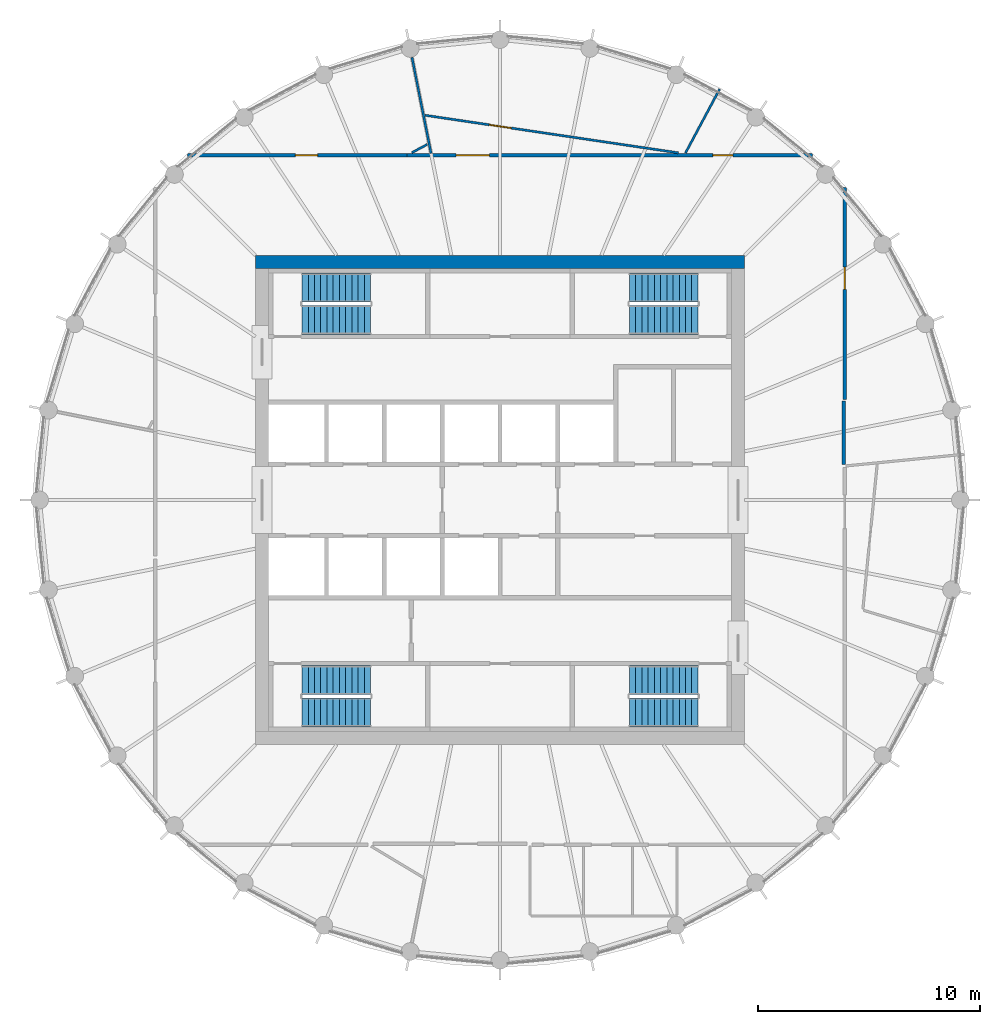
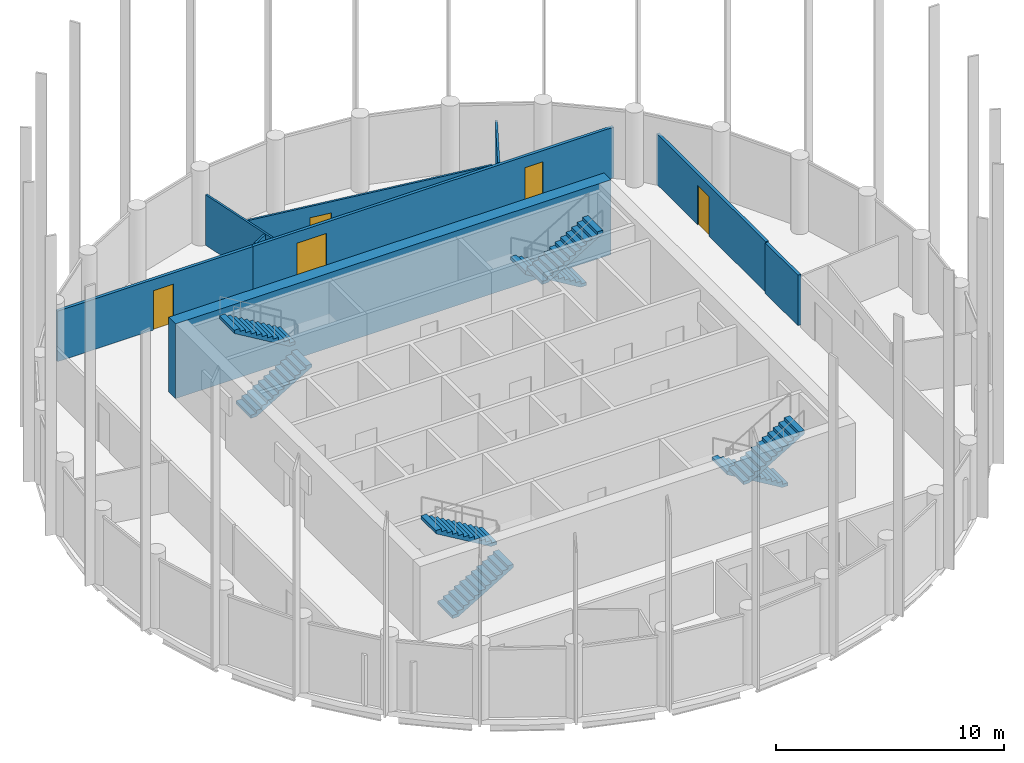
# One storey, part 6 of 7: 9 walls, 8 stair flights, 5 doors, 5 openings, 4 elements without a shape of their own.
"""IFC4 building model written with IfcOpenShell, lengths in metres."""

from ifc_helpers import new_model, si_unit, direction, frame, frame_2d, origin, place, context, subcontext, project, spatial, polyline, rectangle, outline, extrude, material, layer, layer_set, type_object, element, fill, aggregate, save


model = new_model("IFC4")

# Units and contexts
model_context = context("Model", 3, precision=1e-05, world=origin(), true_north=direction((0.0, 1.0)))
body_context = subcontext(model_context, "Body", "Model", "MODEL_VIEW")
ifc_project = project(units=[si_unit("LENGTHUNIT", "METRE"), si_unit("AREAUNIT", "SQUARE_METRE"), si_unit("VOLUMEUNIT", "CUBIC_METRE"), si_unit("PLANEANGLEUNIT", "RADIAN"), si_unit("MASSUNIT", "GRAM", prefix="KILO")], contexts=[model_context])

# Site, building, storey
site_placement = place(None, origin())
site = spatial("IfcSite", under=ifc_project, at=site_placement, CompositionType="ELEMENT")
building_placement = place(site_placement, origin())
building = spatial("IfcBuilding", under=site, at=building_placement, Name="Corvane Civic Tower", CompositionType="ELEMENT")
storey_placement = place(building_placement, frame((0.0, 0.0, 340.5)))
storey = spatial("IfcBuildingStorey", under=building, at=storey_placement, Name="L81", CompositionType="ELEMENT", Elevation=340.5)

# Wall
ifc_material_1 = material(Name="Concrete C40/50", Category="concrete")
ifc_layer_1 = layer(ifc_material_1, 0.60009765625)
ifc_layer_set_1 = layer_set([ifc_layer_1], Name="Concrete C40/50")
wall_type_1 = type_object("IfcWallType", Name="CORE WALL 600 C40/50", PredefinedType="SHEAR", material=ifc_layer_set_1)
wall_1_placement = place(storey_placement, frame((-11.0, 10.699951171875, 0.0), z_axis=(0.0, 0.0, 1.0), x_axis=(1.0, 0.0, 0.0)))
element("IfcWall", 1, at=wall_1_placement, inside=storey, type_object=wall_type_1, Name="W-L81-core-N", PredefinedType="SHEAR", context=body_context, shape_type="SweptSolid", body=[
    extrude(rectangle(XDim=22.0, YDim=0.60009765625, at=frame_2d((11.0, 0.0))), origin(), (0.0, 0.0, 1.0), 4.0),
])

# Wall, opening, door
ifc_material_2 = material(Name="Plasterboard")
ifc_layer_2 = layer(ifc_material_2, 0.10009765625)
ifc_layer_set_2 = layer_set([ifc_layer_2], Name="Plasterboard")
wall_type_2 = type_object("IfcWallType", Name="Partition 100 plasterboard on studs", PredefinedType="PARTITIONING", material=ifc_layer_set_2)
wall_2_placement = place(storey_placement, frame((-3.372314453125, 17.296875, 0.0), z_axis=(0.0, 0.0, 1.0), x_axis=(0.989176121622, -0.146733092425, 0.0)))
wall_2 = element("IfcWall", 2, at=wall_2_placement, inside=storey, type_object=wall_type_2, Name="Partition L81.023", PredefinedType="PARTITIONING", context=body_context, shape_type="SweptSolid", body=[
    extrude(rectangle(XDim=11.513671875, YDim=0.10009765625, at=frame_2d((5.7568359375, 0.0))), origin(), (0.0, 0.0, 1.0), 2.699951171875),
])
opening_1_placement = place(wall_2_placement, frame((2.91748046875, 0.0, 0.0)))
opening_1 = element("IfcOpeningElement", 3, at=opening_1_placement, cuts=wall_2, Name="Opening L81.005", PredefinedType="OPENING", context=body_context, shape_type="SweptSolid", body=[
    extrude(rectangle(XDim=1.0, YDim=2.10009765625, at=frame_2d((0.5, 1.050048828125))), frame((0.0, 0.06005859375, 0.0), z_axis=(0.0, -1.0, 0.0), x_axis=(1.0, 0.0, 0.0)), (0.0, 0.0, 1.0), 0.1201171875),
])
ifc_material_3 = material(Name="Timber", Category="wood")
door_type_1 = type_object("IfcDoorType", Name="Single door 1000", OperationType="NOTDEFINED", PredefinedType="DOOR", material=ifc_material_3)
door_1_placement = place(opening_1_placement, origin())
door_1 = element("IfcDoor", 4, at=door_1_placement, inside=storey, type_object=door_type_1, Name="Door L81.005", OperationType="SINGLE_SWING_LEFT", OverallHeight=2.10009765625, OverallWidth=1.0, PredefinedType="DOOR", context=body_context, shape_type="SweptSolid", body=[
    extrude(rectangle(XDim=1.0, YDim=2.10009765625, at=frame_2d((0.5, 1.050048828125))), frame((0.0, 0.02490234375, 0.0), z_axis=(0.0, -1.0, 0.0), x_axis=(1.0, 0.0, 0.0)), (0.0, 0.0, 1.0), 0.050048828125),
])
fill(opening_1, door_1)

# Walls
wall_3_placement = place(storey_placement, frame((-3.95849609375, 19.900146484375, 0.0), z_axis=(0.0, 0.0, 1.0), x_axis=(0.195091656081, -0.98078501504, 0.0)))
element("IfcWall", 5, at=wall_3_placement, inside=storey, type_object=wall_type_2, Name="Partition L81.024", PredefinedType="PARTITIONING", context=body_context, shape_type="SweptSolid", body=[
    extrude(rectangle(XDim=4.39990234375, YDim=0.10009765625, at=frame_2d((2.199951171875, 0.0))), origin(), (0.0, 0.0, 1.0), 2.699951171875),
])
wall_4_placement = place(storey_placement, frame((8.337646484375, 15.5986328125, 0.0), z_axis=(0.0, 0.0, 1.0), x_axis=(0.471438475103, 0.881898953505, 0.0)))
element("IfcWall", 6, at=wall_4_placement, inside=storey, type_object=wall_type_2, Name="Partition L81.025", PredefinedType="PARTITIONING", context=body_context, shape_type="SweptSolid", body=[
    extrude(rectangle(XDim=3.262939453125, YDim=0.10009765625, at=frame_2d((1.63134765625, 0.0))), origin(), (0.0, 0.0, 1.0), 2.699951171875),
])
wall_5_placement = place(storey_placement, frame((-3.96630859375, 15.614990234375, 0.0), z_axis=(0.0, 0.0, 1.0), x_axis=(0.881949437512, 0.471344024756, 0.0)))
element("IfcWall", 7, at=wall_5_placement, inside=storey, type_object=wall_type_2, Name="Partition L81.026", PredefinedType="PARTITIONING", context=body_context, shape_type="SweptSolid", body=[
    extrude(rectangle(XDim=0.787841796875, YDim=0.10009765625, at=frame_2d((0.39404296875, 0.0))), origin(), (0.0, 0.0, 1.0), 2.699951171875),
])
ifc_material_4 = material(Name="Plasterboard")
ifc_layer_3 = layer(ifc_material_4, 0.14990234375)
ifc_layer_set_3 = layer_set([ifc_layer_3], Name="Plasterboard")
wall_type_3 = type_object("IfcWallType", Name="Tenancy wall 150 EI 60", PredefinedType="PARTITIONING", material=ifc_layer_set_3)
wall_6_placement = place(storey_placement, frame((15.449951171875, 1.6044921875, 0.0), z_axis=(0.0, 0.0, 1.0), x_axis=(0.0, 1.0, 0.0)))
element("IfcWall", 8, at=wall_6_placement, inside=storey, type_object=wall_type_3, Name="Partition L81.017", PredefinedType="PARTITIONING", context=body_context, shape_type="SweptSolid", body=[
    extrude(rectangle(XDim=2.856201171875, YDim=0.14990234375, at=frame_2d((1.42822265625, 0.0))), origin(), (0.0, 0.0, 1.0), 2.699951171875),
])

# Wall, opening, door
wall_7_placement = place(storey_placement, frame((15.5, 4.5107421875, 0.0), z_axis=(0.0, 0.0, 1.0), x_axis=(0.0, 1.0, 0.0)))
wall_7 = element("IfcWall", 9, at=wall_7_placement, inside=storey, type_object=wall_type_3, Name="Partition L81.020", PredefinedType="PARTITIONING", context=body_context, shape_type="SweptSolid", body=[
    extrude(rectangle(XDim=9.54638671875, YDim=0.14990234375, at=frame_2d((4.773193359375, 0.0))), origin(), (0.0, 0.0, 1.0), 2.699951171875),
])
opening_2_placement = place(wall_7_placement, frame((4.9580078125, 0.0, 0.0)))
opening_2 = element("IfcOpeningElement", 10, at=opening_2_placement, cuts=wall_7, Name="Opening L81.007", PredefinedType="OPENING", context=body_context, shape_type="SweptSolid", body=[
    extrude(rectangle(XDim=1.0, YDim=2.10009765625, at=frame_2d((0.5, 1.050048828125))), frame((0.0, 0.0849609375, 0.0), z_axis=(0.0, -1.0, 0.0), x_axis=(1.0, 0.0, 0.0)), (0.0, 0.0, 1.0), 0.169921875),
])
ifc_material_5 = material(Name="Steel and timber", Category="steel")
door_type_2 = type_object("IfcDoorType", Name="Fire door FD30S 1000", OperationType="NOTDEFINED", PredefinedType="DOOR", material=ifc_material_5)
door_2_placement = place(opening_2_placement, frame((1.0, 0.0, 0.0), z_axis=(0.0, 0.0, 1.0), x_axis=(-1.0, 0.0, 0.0)))
door_2 = element("IfcDoor", 11, at=door_2_placement, inside=storey, type_object=door_type_2, Name="Door L81.007", OperationType="SINGLE_SWING_RIGHT", OverallHeight=2.10009765625, OverallWidth=1.0, PredefinedType="DOOR", context=body_context, shape_type="SweptSolid", body=[
    extrude(rectangle(XDim=1.0, YDim=2.10009765625, at=frame_2d((0.5, 1.050048828125))), frame((0.0, 0.02490234375, 0.0), z_axis=(0.0, -1.0, 0.0), x_axis=(1.0, 0.0, 0.0)), (0.0, 0.0, 1.0), 0.050048828125),
])
fill(opening_2, door_2)

wall_8_placement = place(storey_placement, frame((-14.05712890625, 15.5, 0.0), z_axis=(0.0, 0.0, 1.0), x_axis=(1.0, 0.0, 0.0)))
wall_8 = element("IfcWall", 12, at=wall_8_placement, inside=storey, type_object=wall_type_3, Name="Partition L81.021", PredefinedType="PARTITIONING", context=body_context, shape_type="SweptSolid", body=[
    extrude(rectangle(XDim=9.875732421875, YDim=0.14990234375, at=frame_2d((4.93798828125, 0.0))), origin(), (0.0, 0.0, 1.0), 2.699951171875),
])
opening_3_placement = place(wall_8_placement, frame((4.853271484375, 0.0, 0.0)))
opening_3 = element("IfcOpeningElement", 13, at=opening_3_placement, cuts=wall_8, Name="Opening L81.004", PredefinedType="OPENING", context=body_context, shape_type="SweptSolid", body=[
    extrude(rectangle(XDim=1.0, YDim=2.10009765625, at=frame_2d((0.5, 1.050048828125))), frame((0.0, 0.0849609375, 0.0), z_axis=(0.0, -1.0, 0.0), x_axis=(1.0, 0.0, 0.0)), (0.0, 0.0, 1.0), 0.169921875),
])
door_3_placement = place(opening_3_placement, origin())
door_3 = element("IfcDoor", 14, at=door_3_placement, inside=storey, type_object=door_type_2, Name="Door L81.004", OperationType="SINGLE_SWING_RIGHT", OverallHeight=2.10009765625, OverallWidth=1.0, PredefinedType="DOOR", context=body_context, shape_type="SweptSolid", body=[
    extrude(rectangle(XDim=1.0, YDim=2.10009765625, at=frame_2d((0.5, 1.050048828125))), frame((0.0, 0.02490234375, 0.0), z_axis=(0.0, -1.0, 0.0), x_axis=(1.0, 0.0, 0.0)), (0.0, 0.0, 1.0), 0.050048828125),
])
fill(opening_3, door_3)

# Wall, openings, doors
wall_9_placement = place(storey_placement, frame((-4.181396484375, 15.5, 0.0), z_axis=(0.0, 0.0, 1.0), x_axis=(1.0, 0.0, 0.0)))
wall_9 = element("IfcWall", 15, at=wall_9_placement, inside=storey, type_object=wall_type_3, Name="Partition L81.022", PredefinedType="PARTITIONING", context=body_context, shape_type="SweptSolid", body=[
    extrude(rectangle(XDim=18.238525390625, YDim=0.14990234375, at=frame_2d((9.119140625, 0.0))), origin(), (0.0, 0.0, 1.0), 2.699951171875),
])
opening_4_placement = place(wall_9_placement, frame((2.2080078125, 0.0, 0.0)))
opening_4 = element("IfcOpeningElement", 16, at=opening_4_placement, cuts=wall_9, Name="Opening L81.006", PredefinedType="OPENING", context=body_context, shape_type="SweptSolid", body=[
    extrude(rectangle(XDim=1.5, YDim=2.10009765625, at=frame_2d((0.75, 1.050048828125))), frame((0.0, 0.0849609375, 0.0), z_axis=(0.0, -1.0, 0.0), x_axis=(1.0, 0.0, 0.0)), (0.0, 0.0, 1.0), 0.169921875),
])
opening_5_placement = place(wall_9_placement, frame((13.75244140625, 0.0, 0.0)))
opening_5 = element("IfcOpeningElement", 17, at=opening_5_placement, cuts=wall_9, Name="Opening L81.008", PredefinedType="OPENING", context=body_context, shape_type="SweptSolid", body=[
    extrude(rectangle(XDim=0.89990234375, YDim=2.10009765625, at=frame_2d((0.449951171875, 1.050048828125))), frame((0.0, 0.0849609375, 0.0), z_axis=(0.0, -1.0, 0.0), x_axis=(1.0, 0.0, 0.0)), (0.0, 0.0, 1.0), 0.169921875),
])
ifc_material_6 = material(Name="Steel and timber", Category="steel")
door_type_3 = type_object("IfcDoorType", Name="Fire door FD30S 900", OperationType="NOTDEFINED", PredefinedType="DOOR", material=ifc_material_6)
door_4_placement = place(opening_5_placement, origin())
door_4 = element("IfcDoor", 18, at=door_4_placement, inside=storey, type_object=door_type_3, Name="Door L81.008", OperationType="SINGLE_SWING_LEFT", OverallHeight=2.10009765625, OverallWidth=0.89990234375, PredefinedType="DOOR", context=body_context, shape_type="SweptSolid", body=[
    extrude(rectangle(XDim=0.89990234375, YDim=2.10009765625, at=frame_2d((0.449951171875, 1.050048828125))), frame((0.0, 0.02490234375, 0.0), z_axis=(0.0, -1.0, 0.0), x_axis=(1.0, 0.0, 0.0)), (0.0, 0.0, 1.0), 0.050048828125),
])
fill(opening_5, door_4)
ifc_material_7 = material(Name="Steel and timber", Category="steel")
door_type_4 = type_object("IfcDoorType", Name="Fire door FD60 double 1500", OperationType="NOTDEFINED", PredefinedType="DOOR", material=ifc_material_7)
door_5_placement = place(opening_4_placement, origin())
door_5 = element("IfcDoor", 19, at=door_5_placement, inside=storey, type_object=door_type_4, Name="Door L81.006", OperationType="DOUBLE_DOOR_SINGLE_SWING", OverallHeight=2.10009765625, OverallWidth=1.5, PredefinedType="DOOR", context=body_context, shape_type="SweptSolid", body=[
    extrude(rectangle(XDim=1.5, YDim=2.10009765625, at=frame_2d((0.75, 1.050048828125))), frame((0.0, 0.02490234375, 0.0), z_axis=(0.0, -1.0, 0.0), x_axis=(1.0, 0.0, 0.0)), (0.0, 0.0, 1.0), 0.050048828125),
])
fill(opening_4, door_5)

# Stair, stair flights
ifc_material_8 = material(Name="Concrete C40/50", Category="concrete")
stair_type = type_object("IfcStairType", Name="ST-STAIR-HALFTURN", PredefinedType="HALF_TURN_STAIR", material=ifc_material_8)
stair_1_placement = place(storey_placement, origin())
stair_1 = element("IfcStair", 20, at=stair_1_placement, inside=storey, type_object=stair_type, Name="L81 Exit stair ST1", PredefinedType="HALF_TURN_STAIR")
ifc_material_9 = material(Name="Concrete C40/50", Category="concrete")
stair_flight_type = type_object("IfcStairFlightType", Name="ST-FLIGHT-RC", PredefinedType="STRAIGHT", material=ifc_material_9)
stair_flight_1_placement = place(storey_placement, frame((8.89990234375, 9.550048828125, 0.0), z_axis=(0.0, 0.0, 1.0), x_axis=(-1.0, 0.0, 0.0)))
stair_flight_1 = element("IfcStairFlight", 21, at=stair_flight_1_placement, type_object=stair_flight_type, Name="ST1 flight 1", NumberOfRisers=12, NumberOfTreads=11, PredefinedType="STRAIGHT", RiserHeight=0.166666667, TreadLength=0.28, context=body_context, shape_type="SweptSolid", body=[
    extrude(outline(polyline([(0.0, 0.0), (0.0, 0.166748046875), (0.280029296875, 0.166748046875), (0.280029296875, 0.333251953125), (0.56005859375, 0.333251953125), (0.56005859375, 0.5), (0.840087890625, 0.5), (0.840087890625, 0.666748046875), (1.1201171875, 0.666748046875), (1.1201171875, 0.833251953125), (1.39990234375, 0.833251953125), (1.39990234375, 1.0), (1.679931640625, 1.0), (1.679931640625, 1.166748046875), (1.9599609375, 1.166748046875), (1.9599609375, 1.333251953125), (2.239990234375, 1.333251953125), (2.239990234375, 1.5), (2.52001953125, 1.5), (2.52001953125, 1.666748046875), (2.800048828125, 1.666748046875), (2.800048828125, 1.833251953125), (3.080078125, 1.833251953125), (3.080078125, 2.0), (3.080078125, 1.658935546875), (0.29296875, 0.0), (0.0, 0.0)])), frame((0.0, 0.64990234375, 0.0), z_axis=(0.0, -1.0, 0.0), x_axis=(1.0, 0.0, 0.0)), (0.0, 0.0, 1.0), 1.300048828125),
])
stair_flight_2_placement = place(storey_placement, frame((5.820068359375, 8.10009765625, 2.0), z_axis=(0.0, 0.0, 1.0), x_axis=(1.0, 0.0, 0.0)))
stair_flight_2 = element("IfcStairFlight", 22, at=stair_flight_2_placement, type_object=stair_flight_type, Name="ST1 flight 2", NumberOfRisers=12, NumberOfTreads=11, PredefinedType="STRAIGHT", RiserHeight=0.166666667, TreadLength=0.28, context=body_context, shape_type="SweptSolid", body=[
    extrude(outline(polyline([(0.0, 0.0), (0.0, 0.166748046875), (0.280029296875, 0.166748046875), (0.280029296875, 0.333251953125), (0.56005859375, 0.333251953125), (0.56005859375, 0.5), (0.840087890625, 0.5), (0.840087890625, 0.666748046875), (1.1201171875, 0.666748046875), (1.1201171875, 0.833251953125), (1.39990234375, 0.833251953125), (1.39990234375, 1.0), (1.679931640625, 1.0), (1.679931640625, 1.166748046875), (1.9599609375, 1.166748046875), (1.9599609375, 1.333251953125), (2.239990234375, 1.333251953125), (2.239990234375, 1.5), (2.52001953125, 1.5), (2.52001953125, 1.666748046875), (2.800048828125, 1.666748046875), (2.800048828125, 1.833251953125), (3.080078125, 1.833251953125), (3.080078125, 2.0), (3.080078125, 1.658935546875), (0.29296875, 0.0), (0.0, 0.0)])), frame((0.0, 0.64990234375, 0.0), z_axis=(0.0, -1.0, 0.0), x_axis=(1.0, 0.0, 0.0)), (0.0, 0.0, 1.0), 1.300048828125),
])
aggregate(stair_1, [stair_flight_1, stair_flight_2])

stair_2_placement = place(storey_placement, origin())
stair_2 = element("IfcStair", 23, at=stair_2_placement, inside=storey, type_object=stair_type, Name="L81 Exit stair ST2", PredefinedType="HALF_TURN_STAIR")
stair_flight_3_placement = place(storey_placement, frame((8.89990234375, -8.10009765625, 0.0), z_axis=(0.0, 0.0, 1.0), x_axis=(-1.0, 0.0, 0.0)))
stair_flight_3 = element("IfcStairFlight", 24, at=stair_flight_3_placement, type_object=stair_flight_type, Name="ST2 flight 1", NumberOfRisers=12, NumberOfTreads=11, PredefinedType="STRAIGHT", RiserHeight=0.166666667, TreadLength=0.28, context=body_context, shape_type="SweptSolid", body=[
    extrude(outline(polyline([(0.0, 0.0), (0.0, 0.166748046875), (0.280029296875, 0.166748046875), (0.280029296875, 0.333251953125), (0.56005859375, 0.333251953125), (0.56005859375, 0.5), (0.840087890625, 0.5), (0.840087890625, 0.666748046875), (1.1201171875, 0.666748046875), (1.1201171875, 0.833251953125), (1.39990234375, 0.833251953125), (1.39990234375, 1.0), (1.679931640625, 1.0), (1.679931640625, 1.166748046875), (1.9599609375, 1.166748046875), (1.9599609375, 1.333251953125), (2.239990234375, 1.333251953125), (2.239990234375, 1.5), (2.52001953125, 1.5), (2.52001953125, 1.666748046875), (2.800048828125, 1.666748046875), (2.800048828125, 1.833251953125), (3.080078125, 1.833251953125), (3.080078125, 2.0), (3.080078125, 1.658935546875), (0.29296875, 0.0), (0.0, 0.0)])), frame((0.0, 0.64990234375, 0.0), z_axis=(0.0, -1.0, 0.0), x_axis=(1.0, 0.0, 0.0)), (0.0, 0.0, 1.0), 1.300048828125),
])
stair_flight_4_placement = place(storey_placement, frame((5.820068359375, -9.550048828125, 2.0), z_axis=(0.0, 0.0, 1.0), x_axis=(1.0, 0.0, 0.0)))
stair_flight_4 = element("IfcStairFlight", 25, at=stair_flight_4_placement, type_object=stair_flight_type, Name="ST2 flight 2", NumberOfRisers=12, NumberOfTreads=11, PredefinedType="STRAIGHT", RiserHeight=0.166666667, TreadLength=0.28, context=body_context, shape_type="SweptSolid", body=[
    extrude(outline(polyline([(0.0, 0.0), (0.0, 0.166748046875), (0.280029296875, 0.166748046875), (0.280029296875, 0.333251953125), (0.56005859375, 0.333251953125), (0.56005859375, 0.5), (0.840087890625, 0.5), (0.840087890625, 0.666748046875), (1.1201171875, 0.666748046875), (1.1201171875, 0.833251953125), (1.39990234375, 0.833251953125), (1.39990234375, 1.0), (1.679931640625, 1.0), (1.679931640625, 1.166748046875), (1.9599609375, 1.166748046875), (1.9599609375, 1.333251953125), (2.239990234375, 1.333251953125), (2.239990234375, 1.5), (2.52001953125, 1.5), (2.52001953125, 1.666748046875), (2.800048828125, 1.666748046875), (2.800048828125, 1.833251953125), (3.080078125, 1.833251953125), (3.080078125, 2.0), (3.080078125, 1.658935546875), (0.29296875, 0.0), (0.0, 0.0)])), frame((0.0, 0.64990234375, 0.0), z_axis=(0.0, -1.0, 0.0), x_axis=(1.0, 0.0, 0.0)), (0.0, 0.0, 1.0), 1.300048828125),
])
aggregate(stair_2, [stair_flight_3, stair_flight_4])

stair_3_placement = place(storey_placement, origin())
stair_3 = element("IfcStair", 26, at=stair_3_placement, inside=storey, type_object=stair_type, Name="L81 Exit stair ST3", PredefinedType="HALF_TURN_STAIR")
stair_flight_5_placement = place(storey_placement, frame((-8.89990234375, -9.550048828125, 0.0), z_axis=(0.0, 0.0, 1.0), x_axis=(1.0, 0.0, 0.0)))
stair_flight_5 = element("IfcStairFlight", 27, at=stair_flight_5_placement, type_object=stair_flight_type, Name="ST3 flight 1", NumberOfRisers=12, NumberOfTreads=11, PredefinedType="STRAIGHT", RiserHeight=0.166666667, TreadLength=0.28, context=body_context, shape_type="SweptSolid", body=[
    extrude(outline(polyline([(0.0, 0.0), (0.0, 0.166748046875), (0.280029296875, 0.166748046875), (0.280029296875, 0.333251953125), (0.56005859375, 0.333251953125), (0.56005859375, 0.5), (0.840087890625, 0.5), (0.840087890625, 0.666748046875), (1.1201171875, 0.666748046875), (1.1201171875, 0.833251953125), (1.39990234375, 0.833251953125), (1.39990234375, 1.0), (1.679931640625, 1.0), (1.679931640625, 1.166748046875), (1.9599609375, 1.166748046875), (1.9599609375, 1.333251953125), (2.239990234375, 1.333251953125), (2.239990234375, 1.5), (2.52001953125, 1.5), (2.52001953125, 1.666748046875), (2.800048828125, 1.666748046875), (2.800048828125, 1.833251953125), (3.080078125, 1.833251953125), (3.080078125, 2.0), (3.080078125, 1.658935546875), (0.29296875, 0.0), (0.0, 0.0)])), frame((0.0, 0.64990234375, 0.0), z_axis=(0.0, -1.0, 0.0), x_axis=(1.0, 0.0, 0.0)), (0.0, 0.0, 1.0), 1.300048828125),
])
stair_flight_6_placement = place(storey_placement, frame((-5.820068359375, -8.10009765625, 2.0), z_axis=(0.0, 0.0, 1.0), x_axis=(-1.0, 0.0, 0.0)))
stair_flight_6 = element("IfcStairFlight", 28, at=stair_flight_6_placement, type_object=stair_flight_type, Name="ST3 flight 2", NumberOfRisers=12, NumberOfTreads=11, PredefinedType="STRAIGHT", RiserHeight=0.166666667, TreadLength=0.28, context=body_context, shape_type="SweptSolid", body=[
    extrude(outline(polyline([(0.0, 0.0), (0.0, 0.166748046875), (0.280029296875, 0.166748046875), (0.280029296875, 0.333251953125), (0.56005859375, 0.333251953125), (0.56005859375, 0.5), (0.840087890625, 0.5), (0.840087890625, 0.666748046875), (1.1201171875, 0.666748046875), (1.1201171875, 0.833251953125), (1.39990234375, 0.833251953125), (1.39990234375, 1.0), (1.679931640625, 1.0), (1.679931640625, 1.166748046875), (1.9599609375, 1.166748046875), (1.9599609375, 1.333251953125), (2.239990234375, 1.333251953125), (2.239990234375, 1.5), (2.52001953125, 1.5), (2.52001953125, 1.666748046875), (2.800048828125, 1.666748046875), (2.800048828125, 1.833251953125), (3.080078125, 1.833251953125), (3.080078125, 2.0), (3.080078125, 1.658935546875), (0.29296875, 0.0), (0.0, 0.0)])), frame((0.0, 0.64990234375, 0.0), z_axis=(0.0, -1.0, 0.0), x_axis=(1.0, 0.0, 0.0)), (0.0, 0.0, 1.0), 1.300048828125),
])
aggregate(stair_3, [stair_flight_5, stair_flight_6])

stair_4_placement = place(storey_placement, origin())
stair_4 = element("IfcStair", 29, at=stair_4_placement, inside=storey, type_object=stair_type, Name="L81 Exit stair ST4", PredefinedType="HALF_TURN_STAIR")
stair_flight_7_placement = place(storey_placement, frame((-8.89990234375, 8.10009765625, 0.0), z_axis=(0.0, 0.0, 1.0), x_axis=(1.0, 0.0, 0.0)))
stair_flight_7 = element("IfcStairFlight", 30, at=stair_flight_7_placement, type_object=stair_flight_type, Name="ST4 flight 1", NumberOfRisers=12, NumberOfTreads=11, PredefinedType="STRAIGHT", RiserHeight=0.166666667, TreadLength=0.28, context=body_context, shape_type="SweptSolid", body=[
    extrude(outline(polyline([(0.0, 0.0), (0.0, 0.166748046875), (0.280029296875, 0.166748046875), (0.280029296875, 0.333251953125), (0.56005859375, 0.333251953125), (0.56005859375, 0.5), (0.840087890625, 0.5), (0.840087890625, 0.666748046875), (1.1201171875, 0.666748046875), (1.1201171875, 0.833251953125), (1.39990234375, 0.833251953125), (1.39990234375, 1.0), (1.679931640625, 1.0), (1.679931640625, 1.166748046875), (1.9599609375, 1.166748046875), (1.9599609375, 1.333251953125), (2.239990234375, 1.333251953125), (2.239990234375, 1.5), (2.52001953125, 1.5), (2.52001953125, 1.666748046875), (2.800048828125, 1.666748046875), (2.800048828125, 1.833251953125), (3.080078125, 1.833251953125), (3.080078125, 2.0), (3.080078125, 1.658935546875), (0.29296875, 0.0), (0.0, 0.0)])), frame((0.0, 0.64990234375, 0.0), z_axis=(0.0, -1.0, 0.0), x_axis=(1.0, 0.0, 0.0)), (0.0, 0.0, 1.0), 1.300048828125),
])
stair_flight_8_placement = place(storey_placement, frame((-5.820068359375, 9.550048828125, 2.0), z_axis=(0.0, 0.0, 1.0), x_axis=(-1.0, 0.0, 0.0)))
stair_flight_8 = element("IfcStairFlight", 31, at=stair_flight_8_placement, type_object=stair_flight_type, Name="ST4 flight 2", NumberOfRisers=12, NumberOfTreads=11, PredefinedType="STRAIGHT", RiserHeight=0.166666667, TreadLength=0.28, context=body_context, shape_type="SweptSolid", body=[
    extrude(outline(polyline([(0.0, 0.0), (0.0, 0.166748046875), (0.280029296875, 0.166748046875), (0.280029296875, 0.333251953125), (0.56005859375, 0.333251953125), (0.56005859375, 0.5), (0.840087890625, 0.5), (0.840087890625, 0.666748046875), (1.1201171875, 0.666748046875), (1.1201171875, 0.833251953125), (1.39990234375, 0.833251953125), (1.39990234375, 1.0), (1.679931640625, 1.0), (1.679931640625, 1.166748046875), (1.9599609375, 1.166748046875), (1.9599609375, 1.333251953125), (2.239990234375, 1.333251953125), (2.239990234375, 1.5), (2.52001953125, 1.5), (2.52001953125, 1.666748046875), (2.800048828125, 1.666748046875), (2.800048828125, 1.833251953125), (3.080078125, 1.833251953125), (3.080078125, 2.0), (3.080078125, 1.658935546875), (0.29296875, 0.0), (0.0, 0.0)])), frame((0.0, 0.64990234375, 0.0), z_axis=(0.0, -1.0, 0.0), x_axis=(1.0, 0.0, 0.0)), (0.0, 0.0, 1.0), 1.300048828125),
])
aggregate(stair_4, [stair_flight_7, stair_flight_8])

save(model, "model.ifc")
